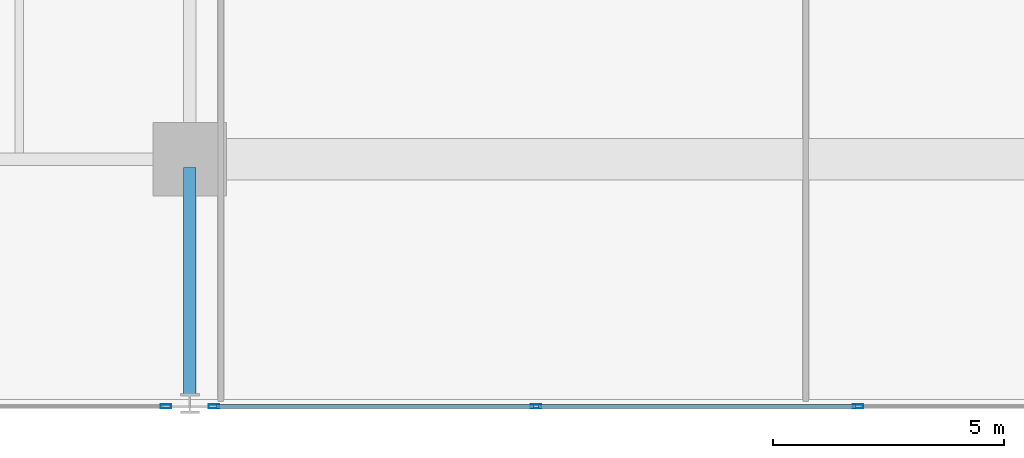
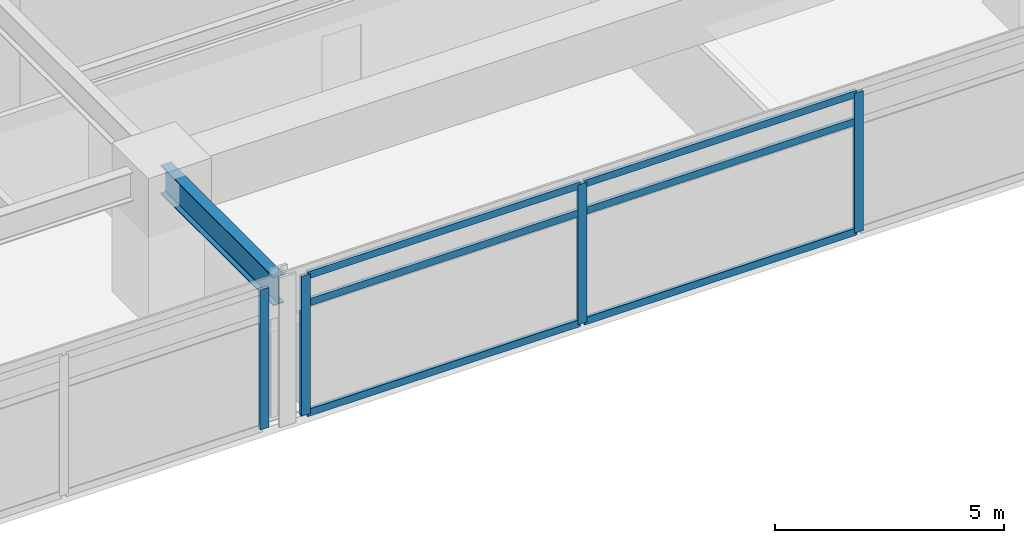
# One storey, part 4 of 20: 10 members, 1 beam, 2 elements without a shape of their own.
"""IFC4 building model written with IfcOpenShell, lengths in metres."""

from ifc_helpers import new_model, si_unit, direction, frame, origin, origin_2d, place, context, subcontext, project, spatial, hollow_rectangle, i_section, extrude, material, material_profile, profile_set, type_object, element, aggregate, save


model = new_model("IFC4")

# Units and contexts
model_context = context("Model", 3, precision=1e-05, world=origin(), true_north=direction((0.0, 1.0)))
body_context = subcontext(model_context, "Body", "Model", "MODEL_VIEW")
ifc_project = project(units=[si_unit("LENGTHUNIT", "METRE"), si_unit("AREAUNIT", "SQUARE_METRE"), si_unit("VOLUMEUNIT", "CUBIC_METRE"), si_unit("PLANEANGLEUNIT", "RADIAN"), si_unit("MASSUNIT", "GRAM", prefix="KILO")], contexts=[model_context])

# Site, building, storey
site_placement = place(None, origin())
site = spatial("IfcSite", under=ifc_project, at=site_placement, CompositionType="ELEMENT")
building_placement = place(site_placement, origin())
building = spatial("IfcBuilding", under=site, at=building_placement, Name="Kovane Verandah Tower", CompositionType="ELEMENT")
storey_placement = place(building_placement, frame((0.0, 0.0, 160.39990234375)))
storey = spatial("IfcBuildingStorey", under=building, at=storey_placement, Name="L37", CompositionType="ELEMENT", Elevation=160.39990234375)

# Beam
ifc_material_1 = material(Name="Steel S355", Category="steel")
ifc_material_profile_1 = material_profile(ifc_material_1, i_section(OverallWidth=0.26806640625, OverallDepth=0.769775390625, WebThickness=0.015625, FlangeThickness=0.025390625, FilletRadius=0.0166015625, at=origin_2d()), Name="UB762x267x197")
ifc_profile_set_1 = profile_set([ifc_material_profile_1], Name="Steel S355")
beam_type = type_object("IfcBeamType", Name="BM-UB762x197", PredefinedType="BEAM", material=ifc_profile_set_1)
beam_placement = place(storey_placement, frame((29.0, 10.6201171875, 3.375244140625), z_axis=(0.0, -1.0, 0.0), x_axis=(1.0, 0.0, 0.0)))
element("IfcBeam", 1, at=beam_placement, inside=storey, type_object=beam_type, Name="L37 Primary Tower Girder G-VS1", PredefinedType="BEAM", context=body_context, shape_type="SweptSolid", body=[
    extrude(i_section(OverallWidth=0.26806640625, OverallDepth=0.769775390625, WebThickness=0.015625, FlangeThickness=0.025390625, FilletRadius=0.0166015625, at=origin_2d()), origin(), (0.0, 0.0, 1.0), 4.940185546875),
])

# Curtain wall, member
ifc_material_2 = material(Name="Champagne Anodised Aluminium Frame with Low-E Clear Laminated Glass", Category="aluminium")
curtain_wall_type = type_object("IfcCurtainWallType", Name="CW-SYS-03-MID", PredefinedType="NOTDEFINED", material=ifc_material_2)
curtain_wall_1_placement = place(storey_placement, origin())
curtain_wall_1 = element("IfcCurtainWall", 2, at=curtain_wall_1_placement, inside=storey, type_object=curtain_wall_type, Name="L37 S Unitised Curtain Wall-1", PredefinedType="NOTDEFINED")
ifc_material_3 = material(Name="Champagne Anodised Aluminium 6063-T6", Category="aluminium")
ifc_material_profile_2 = material_profile(ifc_material_3, hollow_rectangle(XDim=0.0849609375, YDim=0.22998046875, WallThickness=0.00390625, at=origin_2d()), Name="AL85x230x4")
ifc_profile_set_2 = profile_set([ifc_material_profile_2], Name="Champagne Anodised Aluminium 6063-T6")
member_type_1 = type_object("IfcMemberType", Name="CW-MUL-85x230", PredefinedType="MULLION", material=ifc_profile_set_2)
member_1_placement = place(storey_placement, frame((28.47998046875, 5.438720703125, 0.02001953125), z_axis=(0.0, 0.0, 1.0), x_axis=(0.0, -1.0, 0.0)))
member_1 = element("IfcMember", 3, at=member_1_placement, type_object=member_type_1, Name="L37 S Unitised Curtain Wall-1 Mullion 3", PredefinedType="MULLION", context=body_context, shape_type="SweptSolid", body=[
    extrude(hollow_rectangle(XDim=0.0849609375, YDim=0.22998046875, WallThickness=0.00390625, at=origin_2d()), origin(), (0.0, 0.0, 1.0), 3.735107421875),
])
aggregate(curtain_wall_1, [member_1])

# Curtain wall, members
curtain_wall_2_placement = place(storey_placement, origin())
curtain_wall_2 = element("IfcCurtainWall", 4, at=curtain_wall_2_placement, inside=storey, type_object=curtain_wall_type, Name="L37 S Unitised Curtain Wall-2", PredefinedType="NOTDEFINED")
member_2_placement = place(storey_placement, frame((29.52001953125, 5.438720703125, 0.02001953125), z_axis=(0.0, 0.0, 1.0), x_axis=(0.0, -1.0, 0.0)))
member_2 = element("IfcMember", 5, at=member_2_placement, type_object=member_type_1, Name="L37 S Unitised Curtain Wall-2 Mullion 1", PredefinedType="MULLION", context=body_context, shape_type="SweptSolid", body=[
    extrude(hollow_rectangle(XDim=0.0849609375, YDim=0.22998046875, WallThickness=0.00390625, at=origin_2d()), origin(), (0.0, 0.0, 1.0), 3.735107421875),
])
member_3_placement = place(storey_placement, frame((36.506591796875, 5.438720703125, 0.02001953125), z_axis=(0.0, 0.0, 1.0), x_axis=(0.0, -1.0, 0.0)))
member_3 = element("IfcMember", 6, at=member_3_placement, type_object=member_type_1, Name="L37 S Unitised Curtain Wall-2 Mullion 2", PredefinedType="MULLION", context=body_context, shape_type="SweptSolid", body=[
    extrude(hollow_rectangle(XDim=0.0849609375, YDim=0.22998046875, WallThickness=0.00390625, at=origin_2d()), origin(), (0.0, 0.0, 1.0), 3.735107421875),
])
member_4_placement = place(storey_placement, frame((43.493408203125, 5.438720703125, 0.02001953125), z_axis=(0.0, 0.0, 1.0), x_axis=(0.0, -1.0, 0.0)))
member_4 = element("IfcMember", 7, at=member_4_placement, type_object=member_type_1, Name="L37 S Unitised Curtain Wall-2 Mullion 3", PredefinedType="MULLION", context=body_context, shape_type="SweptSolid", body=[
    extrude(hollow_rectangle(XDim=0.0849609375, YDim=0.22998046875, WallThickness=0.00390625, at=origin_2d()), origin(), (0.0, 0.0, 1.0), 3.735107421875),
])
ifc_material_profile_3 = material_profile(ifc_material_3, hollow_rectangle(XDim=0.0849609375, YDim=0.18994140625, WallThickness=0.00390625, at=origin_2d()), Name="AL85x190x4")
ifc_profile_set_3 = profile_set([ifc_material_profile_3], Name="Champagne Anodised Aluminium 6063-T6")
member_type_2 = type_object("IfcMemberType", Name="CW-TRN-85x190", PredefinedType="USERDEFINED", material=ifc_profile_set_3)
member_5_placement = place(storey_placement, frame((29.570068359375, 5.438720703125, 0.050048828125), z_axis=(1.0, 0.0, 0.0), x_axis=(0.0, 1.0, 0.0)))
member_5 = element("IfcMember", 8, at=member_5_placement, type_object=member_type_2, Name="L37 S Unitised Curtain Wall-2 Transom TB Bay 1", ObjectType="TRANSOM", PredefinedType="USERDEFINED", context=body_context, shape_type="SweptSolid", body=[
    extrude(hollow_rectangle(XDim=0.0849609375, YDim=0.18994140625, WallThickness=0.00390625, at=origin_2d()), origin(), (0.0, 0.0, 1.0), 6.88671875),
])
member_6_placement = place(storey_placement, frame((29.570068359375, 5.438720703125, 2.9951171875), z_axis=(1.0, 0.0, 0.0), x_axis=(0.0, 1.0, 0.0)))
member_6 = element("IfcMember", 9, at=member_6_placement, type_object=member_type_2, Name="L37 S Unitised Curtain Wall-2 Transom TM Bay 1", ObjectType="TRANSOM", PredefinedType="USERDEFINED", context=body_context, shape_type="SweptSolid", body=[
    extrude(hollow_rectangle(XDim=0.0849609375, YDim=0.18994140625, WallThickness=0.00390625, at=origin_2d()), origin(), (0.0, 0.0, 1.0), 6.88671875),
])
member_7_placement = place(storey_placement, frame((29.570068359375, 5.438720703125, 3.72509765625), z_axis=(1.0, 0.0, 0.0), x_axis=(0.0, 1.0, 0.0)))
member_7 = element("IfcMember", 10, at=member_7_placement, type_object=member_type_2, Name="L37 S Unitised Curtain Wall-2 Transom TT Bay 1", ObjectType="TRANSOM", PredefinedType="USERDEFINED", context=body_context, shape_type="SweptSolid", body=[
    extrude(hollow_rectangle(XDim=0.0849609375, YDim=0.18994140625, WallThickness=0.00390625, at=origin_2d()), origin(), (0.0, 0.0, 1.0), 6.88671875),
])
member_8_placement = place(storey_placement, frame((36.556640625, 5.438720703125, 0.050048828125), z_axis=(1.0, 0.0, 0.0), x_axis=(0.0, 1.0, 0.0)))
member_8 = element("IfcMember", 11, at=member_8_placement, type_object=member_type_2, Name="L37 S Unitised Curtain Wall-2 Transom TB Bay 2", ObjectType="TRANSOM", PredefinedType="USERDEFINED", context=body_context, shape_type="SweptSolid", body=[
    extrude(hollow_rectangle(XDim=0.0849609375, YDim=0.18994140625, WallThickness=0.00390625, at=origin_2d()), origin(), (0.0, 0.0, 1.0), 6.88671875),
])
member_9_placement = place(storey_placement, frame((36.556640625, 5.438720703125, 2.9951171875), z_axis=(1.0, 0.0, 0.0), x_axis=(0.0, 1.0, 0.0)))
member_9 = element("IfcMember", 12, at=member_9_placement, type_object=member_type_2, Name="L37 S Unitised Curtain Wall-2 Transom TM Bay 2", ObjectType="TRANSOM", PredefinedType="USERDEFINED", context=body_context, shape_type="SweptSolid", body=[
    extrude(hollow_rectangle(XDim=0.0849609375, YDim=0.18994140625, WallThickness=0.00390625, at=origin_2d()), origin(), (0.0, 0.0, 1.0), 6.88671875),
])
member_10_placement = place(storey_placement, frame((36.556640625, 5.438720703125, 3.72509765625), z_axis=(1.0, 0.0, 0.0), x_axis=(0.0, 1.0, 0.0)))
member_10 = element("IfcMember", 13, at=member_10_placement, type_object=member_type_2, Name="L37 S Unitised Curtain Wall-2 Transom TT Bay 2", ObjectType="TRANSOM", PredefinedType="USERDEFINED", context=body_context, shape_type="SweptSolid", body=[
    extrude(hollow_rectangle(XDim=0.0849609375, YDim=0.18994140625, WallThickness=0.00390625, at=origin_2d()), origin(), (0.0, 0.0, 1.0), 6.88671875),
])
aggregate(curtain_wall_2, [member_2, member_3, member_4, member_5, member_6, member_7, member_8, member_9, member_10])

save(model, "model.ifc")
